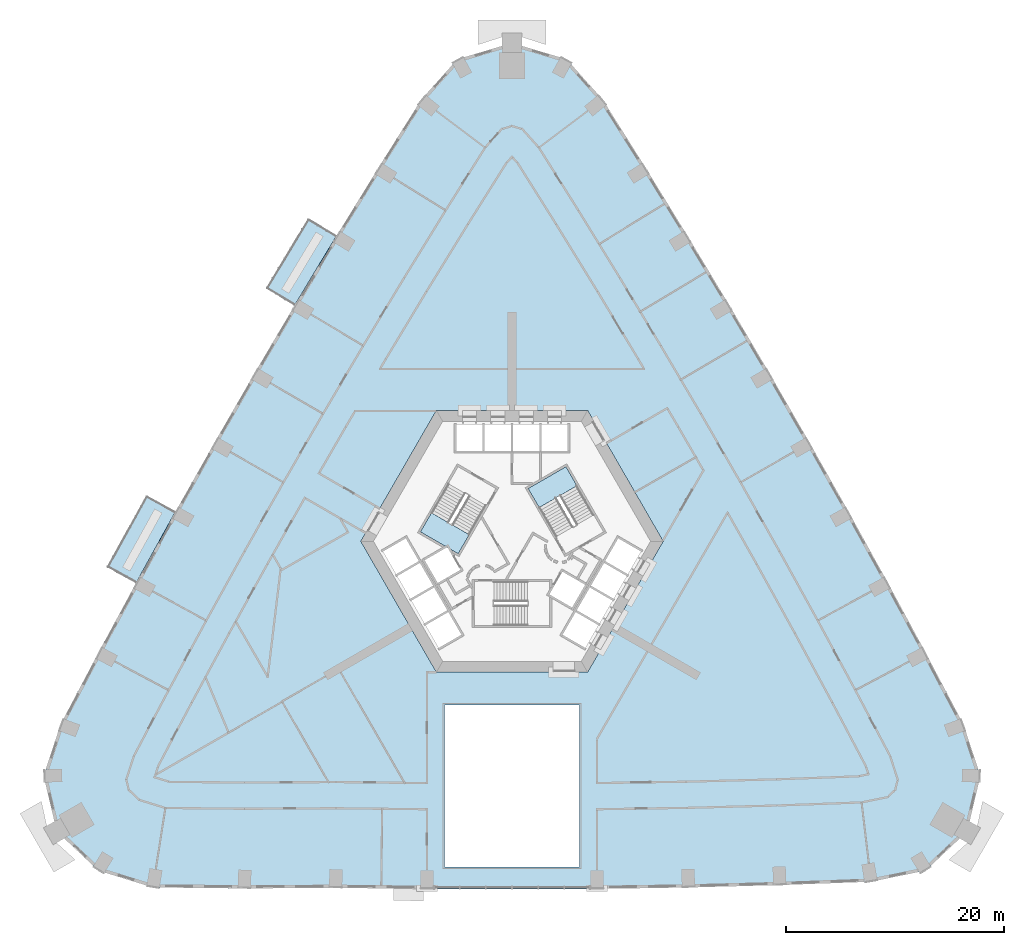
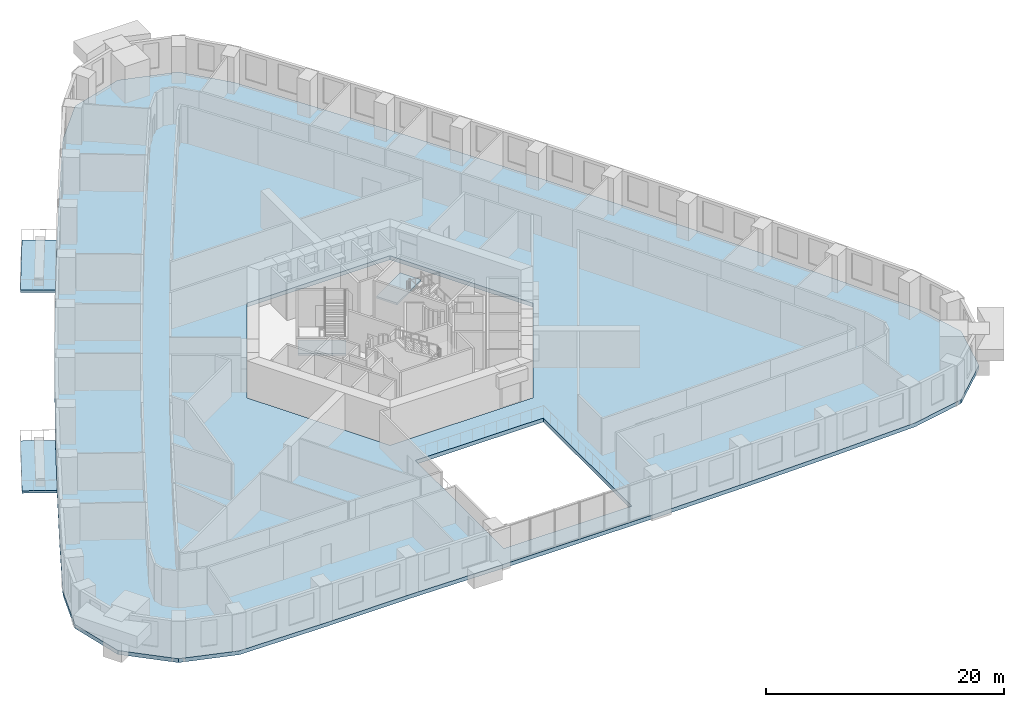
# One storey, part 3 of 16: 5 slabs, 2 elements without a shape of their own.
"""IFC4 building model written with IfcOpenShell, lengths in metres."""

import ifcopenshell
import ifcopenshell.guid

model = None  # the IFC model being written
_history = None  # IfcOwnerHistory: only IFC2X3 demands one
_inside = {}  # id of a spatial element -> (the spatial element, [elements in it])
_under = {}  # id of a project, library or spatial element -> (it, [spatial elements below it])
_declared = {}  # id of a project -> (the project, [libraries it declares])
_typed = {}  # id of a type object -> (the type object, [elements of that type])
_made_of = {}  # id of a material, layer set ... -> (it, [elements and type objects made of it])


def new_model(schema):
    """Start an empty IFC model of exactly this schema.

    Asked for "IFC4X3", IfcOpenShell would pick the latest addendum, in which some entities
    have other attributes; the version numbers below select the first issue.
    IFC2X3 requires an IfcOwnerHistory on every rooted entity: one is made here for all.
    """
    global model, _history
    if schema == "IFC4X3":
        model = ifcopenshell.file(schema_version=(4, 3, 0, 0))
    else:
        model = ifcopenshell.file(schema=schema)
    _inside.clear()
    _under.clear()
    _declared.clear()
    _typed.clear()
    _made_of.clear()
    _history = None
    if model.schema == "IFC2X3":
        org = make("IfcOrganization", Name="unknown")
        user = make(
            "IfcPersonAndOrganization",
            ThePerson=make("IfcPerson", FamilyName="unknown"),
            TheOrganization=org,
        )
        app = make(
            "IfcApplication",
            ApplicationDeveloper=org,
            Version="unknown",
            ApplicationFullName="unknown",
            ApplicationIdentifier="unknown",
        )
        _history = make(
            "IfcOwnerHistory",
            OwningUser=user,
            OwningApplication=app,
            ChangeAction="ADDED",
            CreationDate=0,
        )
    return model


def make(cls, **values):
    """One entity of the class cls with the attributes given. An attribute that is None is left unset."""
    return model.create_entity(
        cls, **{name: value for name, value in values.items() if value is not None}
    )


def rooted(cls, **values):
    """An entity with a GlobalId (a new one), such as an element, a storey or a relation."""
    return make(cls, GlobalId=ifcopenshell.guid.new(), OwnerHistory=_history, **values)


def si_unit(unit_type, name, prefix=None):
    """IfcSIUnit, for example si_unit("LENGTHUNIT", "METRE", prefix="MILLI")."""
    return make("IfcSIUnit", UnitType=unit_type, Prefix=prefix, Name=name)


def assignment(units):
    """IfcUnitAssignment: the units of a project."""
    return None if units is None else make("IfcUnitAssignment", Units=units)


def point(xyz):
    """IfcCartesianPoint."""
    return None if xyz is None else make("IfcCartesianPoint", Coordinates=xyz)


def direction(xyz):
    """IfcDirection."""
    return None if xyz is None else make("IfcDirection", DirectionRatios=xyz)


def frame(location, z_axis=None, x_axis=None):
    """IfcAxis2Placement3D, a coordinate frame: its origin and axes. An axis left out is left unset."""
    return make(
        "IfcAxis2Placement3D",
        Location=point(location),
        Axis=direction(z_axis),
        RefDirection=direction(x_axis),
    )


def origin():
    """The frame at (0, 0, 0) with its axes left unset."""
    return frame((0.0, 0.0, 0.0))


def place(relative_to, where):
    """IfcLocalPlacement: puts the frame where relative to a parent placement (None: the world)."""
    return make(
        "IfcLocalPlacement", PlacementRelTo=relative_to, RelativePlacement=where
    )


def context(
    kind, dimensions, precision=None, world=None, true_north=None, identifier=None
):
    """IfcGeometricRepresentationContext, for example the 3D "Model" context."""
    return make(
        "IfcGeometricRepresentationContext",
        ContextIdentifier=identifier,
        ContextType=kind,
        CoordinateSpaceDimension=dimensions,
        Precision=precision,
        WorldCoordinateSystem=world,
        TrueNorth=true_north,
    )


def subcontext(parent, identifier, kind, view, scale=None):
    """IfcGeometricRepresentationSubContext, for example "Body" below "Model"."""
    return make(
        "IfcGeometricRepresentationSubContext",
        ContextIdentifier=identifier,
        ContextType=kind,
        ParentContext=parent,
        TargetScale=scale,
        TargetView=view,
    )


def project(units=None, contexts=None):
    """IfcProject with its units and contexts."""
    return rooted(
        "IfcProject",
        Name="project",
        RepresentationContexts=contexts,
        UnitsInContext=assignment(units),
    )


def spatial(cls, under=None, at=None, **own):
    """A site, building, storey or space (cls), placed at a placement, below another one or the project."""
    s = rooted(cls, ObjectPlacement=at, **own)
    if under is not None:
        _under.setdefault(under.id(), (under, []))[1].append(s)
    return s


def polyline(points):
    """IfcPolyline through the points."""
    return make("IfcPolyline", Points=[point(p) for p in points])


def outline(outer, holes=None, kind="AREA"):
    """IfcArbitraryClosedProfileDef: a profile drawn as a closed curve; with holes, ...WithVoids."""
    if holes is None:
        return make("IfcArbitraryClosedProfileDef", ProfileType=kind, OuterCurve=outer)
    return make(
        "IfcArbitraryProfileDefWithVoids",
        ProfileType=kind,
        OuterCurve=outer,
        InnerCurves=holes,
    )


def extrude(swept, where, along, depth):
    """IfcExtrudedAreaSolid: the profile swept, set in the frame where, extruded along a direction by depth."""
    return make(
        "IfcExtrudedAreaSolid",
        SweptArea=swept,
        Position=where,
        ExtrudedDirection=direction(along),
        Depth=depth,
    )


def shape(context_of_items, identifier, shape_type, items):
    """IfcShapeRepresentation: the items that make up one representation, for example the "Body"."""
    return make(
        "IfcShapeRepresentation",
        ContextOfItems=context_of_items,
        RepresentationIdentifier=identifier,
        RepresentationType=shape_type,
        Items=items,
    )


def material(Name=None, Category=None):
    """IfcMaterial."""
    return make("IfcMaterial", Name=Name, Category=Category)


def layer(
    of_material, thickness, ventilated=None, Name=None, Category=None, Priority=None
):
    """IfcMaterialLayer: one layer of a wall or slab, of a material (None: an air gap)."""
    return make(
        "IfcMaterialLayer",
        Material=of_material,
        LayerThickness=thickness,
        IsVentilated=ventilated,
        Name=Name,
        Category=Category,
        Priority=Priority,
    )


def layer_set(layers, Name=None):
    """IfcMaterialLayerSet."""
    return make("IfcMaterialLayerSet", MaterialLayers=layers, LayerSetName=Name)


def made_of(thing, what):
    """Note that an element or type object is made of a material, layer set ...; save() writes the relation."""
    if what is not None:
        _made_of.setdefault(what.id(), (what, []))[1].append(thing)
    return thing


def type_object(cls, material=None, **own):
    """A type object (cls), such as IfcWallType, which elements share."""
    return made_of(rooted(cls, **own), material)


def element(
    cls,
    number,
    at=None,
    inside=None,
    cuts=None,
    type_object=None,
    material=None,
    context=None,
    identifier="Body",
    shape_type=None,
    held_by="IfcProductDefinitionShape",
    body=None,
    shapes=None,
    **own,
):
    """One element of the class cls, such as IfcWall. Its Tag is "e" and its number.

    at: its placement. inside: the storey or other place that contains it. cuts: it is an
    opening in that element (IfcRelVoidsElement). A single representation is given by context,
    identifier, shape_type and body (its items); several are given by shapes. held_by: the class
    of the entity that holds the representations. save() writes the other relations.
    """
    e = rooted(cls, Tag="e%d" % number, ObjectPlacement=at, **own)
    if body is not None:
        shapes = [shape(context, identifier, shape_type, body)]
    if shapes is not None:
        e.Representation = make(held_by, Representations=shapes)
    if inside is not None:
        _inside.setdefault(inside.id(), (inside, []))[1].append(e)
    if cuts is not None:
        rooted(
            "IfcRelVoidsElement", RelatingBuildingElement=cuts, RelatedOpeningElement=e
        )
    if type_object is not None:
        _typed.setdefault(type_object.id(), (type_object, []))[1].append(e)
    return made_of(e, material)


def aggregate(whole, parts):
    """IfcRelAggregates: a whole, such as a stair, and the parts it consists of."""
    return rooted("IfcRelAggregates", RelatingObject=whole, RelatedObjects=parts)


def save(model, path):
    """Write the relations noted so far, then the file.

    IfcRelAggregates (storeys below a building ...), IfcRelContainedInSpatialStructure (elements
    in a storey), IfcRelDefinesByType, IfcRelAssociatesMaterial and IfcRelDeclares: one each for
    every whole, place, type object, material and project.
    """
    for whole, parts in _under.values():
        aggregate(whole, parts)
    for where, things in _inside.values():
        rooted(
            "IfcRelContainedInSpatialStructure",
            RelatedElements=things,
            RelatingStructure=where,
        )
    for kind, things in _typed.values():
        rooted("IfcRelDefinesByType", RelatedObjects=things, RelatingType=kind)
    for what, things in _made_of.values():
        rooted("IfcRelAssociatesMaterial", RelatedObjects=things, RelatingMaterial=what)
    for by, libraries in _declared.values():
        rooted("IfcRelDeclares", RelatingContext=by, RelatedDefinitions=libraries)
    model.write(path)


model = new_model("IFC4")

# Units and contexts
model_context = context("Model", 3, precision=1e-05, world=origin(), true_north=direction((0.0, 1.0)))
body_context = subcontext(model_context, "Body", "Model", "MODEL_VIEW")
ifc_project = project(units=[si_unit("LENGTHUNIT", "METRE"), si_unit("AREAUNIT", "SQUARE_METRE"), si_unit("VOLUMEUNIT", "CUBIC_METRE"), si_unit("PLANEANGLEUNIT", "RADIAN"), si_unit("MASSUNIT", "GRAM", prefix="KILO")], contexts=[model_context])

# Site, building, storey
site_placement = place(None, origin())
site = spatial("IfcSite", under=ifc_project, at=site_placement, CompositionType="ELEMENT")
building_placement = place(site_placement, origin())
building = spatial("IfcBuilding", under=site, at=building_placement, Name="Entoto Arch Interchange Tower", CompositionType="ELEMENT")
storey_placement = place(building_placement, frame((0.0, 0.0, 68.60009765625)))
storey = spatial("IfcBuildingStorey", under=building, at=storey_placement, Name="L14", CompositionType="ELEMENT", Elevation=68.60009765625)

# Slabs
ifc_material_1 = material(Name="Board-marked precast concrete C50/60", Category="concrete")
ifc_layer_1 = layer(ifc_material_1, 0.25)
ifc_layer_set_1 = layer_set([ifc_layer_1], Name="Board-marked precast concrete C50/60")
slab_type_1 = type_object("IfcSlabType", Name="BALCONY DECK PRECAST 250", PredefinedType="FLOOR", material=ifc_layer_set_1)
slab_1_placement = place(storey_placement, frame((0.0, 0.0, -0.25)))
element("IfcSlab", 1, at=slab_1_placement, inside=storey, type_object=slab_type_1, Name="Planted balcony NW-03 L14", PredefinedType="FLOOR", context=body_context, shape_type="SweptSolid", body=[
    extrude(outline(polyline([(-16.118896484375, 30.449951171875), (-19.89990234375, 24.176025390625), (-22.427001953125, 25.698974609375), (-18.64599609375, 31.972900390625), (-16.118896484375, 30.449951171875)])), origin(), (0.0, 0.0, 1.0), 0.25),
])
slab_2_placement = place(storey_placement, frame((0.0, 0.0, -0.25)))
element("IfcSlab", 2, at=slab_2_placement, inside=storey, type_object=slab_type_1, Name="Planted balcony NW-07 L14", PredefinedType="FLOOR", context=body_context, shape_type="SweptSolid", body=[
    extrude(outline(polyline([(-30.887939453125, 5.14599609375), (-34.429931640625, -1.264892578125), (-37.011962890625, 0.162109375), (-33.469970703125, 6.572998046875), (-30.887939453125, 5.14599609375)])), origin(), (0.0, 0.0, 1.0), 0.25),
])

# Stair, slab
ifc_material_2 = material(Name="Concrete C40/50", Category="concrete")
stair_type = type_object("IfcStairType", Name="EXIT STAIR RC 1800", PredefinedType="HALF_TURN_STAIR", material=ifc_material_2)
stair_1_placement = place(storey_placement, origin())
stair_1 = element("IfcStair", 3, at=stair_1_placement, inside=storey, type_object=stair_type, Name="L14 Exit stair NE", PredefinedType="HALF_TURN_STAIR")
ifc_layer_2 = layer(ifc_material_2, 0.199951171875)
ifc_layer_set_2 = layer_set([ifc_layer_2], Name="Concrete C40/50")
slab_type_2 = type_object("IfcSlabType", Name="EXIT STAIR LANDING RC 200", PredefinedType="LANDING", material=ifc_layer_set_2)
slab_3_placement = place(storey_placement, frame((0.0, 0.0, 1.89990234375)))
slab_3 = element("IfcSlab", 4, at=slab_3_placement, type_object=slab_type_2, Name="ST-NE landing 1", PredefinedType="LANDING", context=body_context, shape_type="SweptSolid", body=[
    extrude(outline(polyline([(5.953369140625, 7.58837890625), (4.943359375, 9.337890625), (1.479248046875, 7.337890625), (2.4892578125, 5.58837890625), (5.953369140625, 7.58837890625)])), origin(), (0.0, 0.0, 1.0), 0.199951171875),
])
aggregate(stair_1, [slab_3])

stair_2_placement = place(storey_placement, origin())
stair_2 = element("IfcStair", 5, at=stair_2_placement, inside=storey, type_object=stair_type, Name="L14 Exit stair NW", PredefinedType="HALF_TURN_STAIR")
slab_4_placement = place(storey_placement, frame((0.0, 0.0, 1.89990234375)))
slab_4 = element("IfcSlab", 6, at=slab_4_placement, type_object=slab_type_2, Name="ST-NW landing 1", PredefinedType="LANDING", context=body_context, shape_type="SweptSolid", body=[
    extrude(outline(polyline([(-7.38330078125, 5.111572265625), (-8.393310546875, 3.3623046875), (-4.92919921875, 1.3623046875), (-3.919189453125, 3.111572265625), (-7.38330078125, 5.111572265625)])), origin(), (0.0, 0.0, 1.0), 0.199951171875),
])
aggregate(stair_2, [slab_4])

# Slab
ifc_layer_3 = layer(ifc_material_2, 0.39990234375)
ifc_layer_set_3 = layer_set([ifc_layer_3], Name="Concrete C40/50")
slab_type_3 = type_object("IfcSlabType", Name="Post-tensioned flat plate 400 C40/50", PredefinedType="FLOOR", material=ifc_layer_set_3)
slab_5_placement = place(storey_placement, frame((0.0, 0.0, -0.400146484375)))
element("IfcSlab", 7, at=slab_5_placement, inside=storey, type_object=slab_type_3, Name="Floor slab L14", PredefinedType="FLOOR", context=body_context, shape_type="SweptSolid", body=[
    extrude(outline(polyline([(-32.910888671875, -29.23291015625), (-24.5400390625, -29.31494140625), (-16.169921875, -29.26806640625), (-7.800048828125, -29.361083984375), (7.800048828125, -29.361083984375), (16.169921875, -29.23193359375), (24.5400390625, -29.012939453125), (32.910888671875, -28.705078125), (37.924072265625, -27.681884765625), (41.72705078125, -24.091064453125), (42.93505859375, -19.001953125), (41.387939453125, -14.291015625), (37.912109375, -7.7099609375), (34.429931640625, -1.264892578125), (30.887939453125, 5.14599609375), (27.284912109375, 11.52392578125), (23.623046875, 17.866943359375), (19.89990234375, 24.176025390625), (16.118896484375, 30.449951171875), (12.279052734375, 36.68798828125), (8.318115234375, 42.988037109375), (5.010986328125, 46.68408203125), (0.0, 48.181884765625), (-5.010986328125, 46.68408203125), (-8.318115234375, 42.988037109375), (-12.279052734375, 36.68798828125), (-16.118896484375, 30.449951171875), (-19.89990234375, 24.176025390625), (-23.623046875, 17.866943359375), (-27.284912109375, 11.52392578125), (-30.887939453125, 5.14599609375), (-34.429931640625, -1.264892578125), (-37.912109375, -7.7099609375), (-41.387939453125, -14.291015625), (-42.93505859375, -19.001953125), (-41.72705078125, -24.091064453125), (-37.924072265625, -27.681884765625), (-32.910888671875, -29.23291015625)]), holes=[polyline([(6.199951171875, -27.361083984375), (6.199951171875, -12.5), (-6.199951171875, -12.5), (-6.199951171875, -27.361083984375), (6.199951171875, -27.361083984375)]), polyline([(13.85595703125, 2.5), (6.927978515625, 14.5), (-6.927978515625, 14.5), (-13.85595703125, 2.5), (-6.927978515625, -9.5), (6.927978515625, -9.5), (13.85595703125, 2.5)])]), origin(), (0.0, 0.0, 1.0), 0.400146484375),
])

save(model, "model.ifc")
